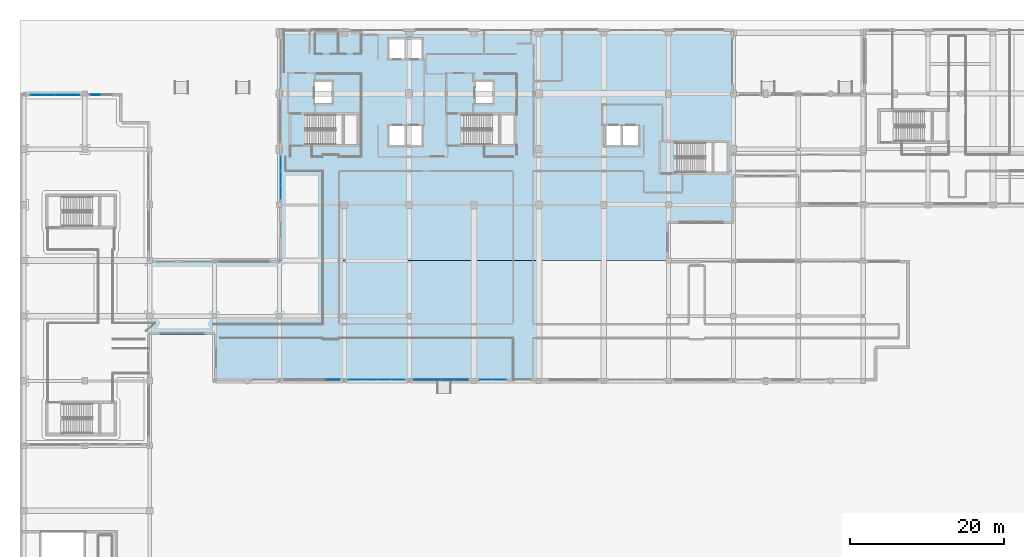
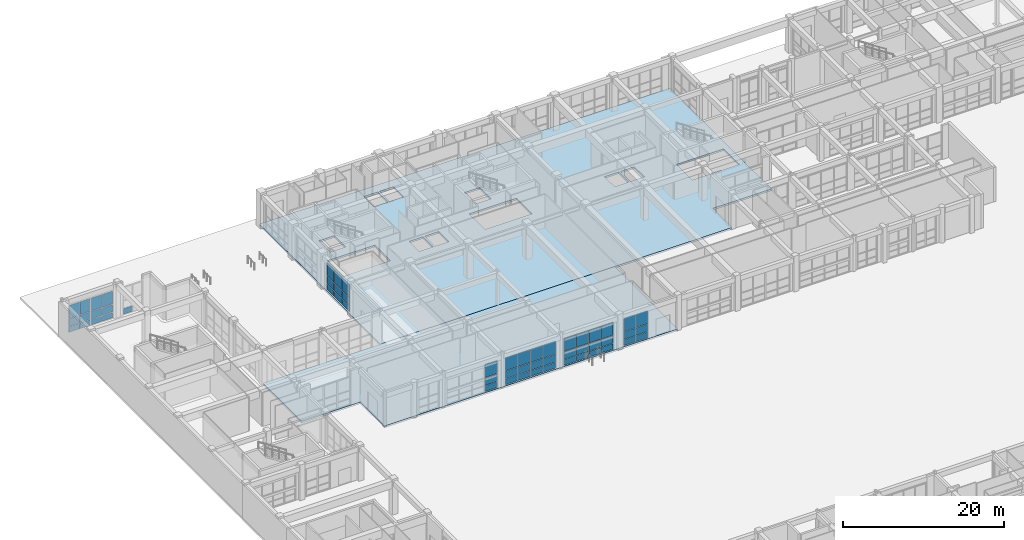
# One storey, part 114 of 148: 55 plates, 2 slabs, 7 elements without a shape of their own.
"""IFC4 building model written with IfcOpenShell, lengths in metres."""

from ifc_helpers import new_model, si_unit, direction, frame, origin, origin_2d, place, context, subcontext, project, spatial, polyline, rectangle, outline, extrude, material, layer, layer_set, type_object, element, aggregate, save


model = new_model("IFC4")

# Units and contexts
model_context = context("Model", 3, precision=1e-05, world=origin(), true_north=direction((0.0, 1.0)))
body_context = subcontext(model_context, "Body", "Model", "MODEL_VIEW")
ifc_project = project(units=[si_unit("LENGTHUNIT", "METRE"), si_unit("AREAUNIT", "SQUARE_METRE"), si_unit("VOLUMEUNIT", "CUBIC_METRE"), si_unit("PLANEANGLEUNIT", "RADIAN"), si_unit("MASSUNIT", "GRAM", prefix="KILO")], contexts=[model_context])

# Site, building, storey
site_placement = place(None, origin())
site = spatial("IfcSite", under=ifc_project, at=site_placement, CompositionType="ELEMENT")
building_placement = place(site_placement, origin())
building = spatial("IfcBuilding", under=site, at=building_placement, Name="Quendrovan Civic Courthouse", CompositionType="ELEMENT")
storey_placement = place(building_placement, origin())
storey = spatial("IfcBuildingStorey", under=building, at=storey_placement, Name="L01", CompositionType="ELEMENT", Elevation=0.0)

# Curtain wall, plates
ifc_material_1 = material(Name="Bronze anodised aluminium and low-E glass", Category="aluminium")
ifc_layer_1 = layer(ifc_material_1, 0.179931640625, Name="Bronze anodised aluminium and low-E glass")
ifc_layer_set_1 = layer_set([ifc_layer_1], Name="Bronze anodised aluminium and low-E glass")
curtain_wall_type_1 = type_object("IfcCurtainWallType", Name="CW-U64x42", PredefinedType="USERDEFINED", material=ifc_layer_set_1)
curtain_wall_1_placement = place(storey_placement, origin())
curtain_wall_1 = element("IfcCurtainWall", 1, at=curtain_wall_1_placement, inside=storey, type_object=curtain_wall_type_1, Name="L01 Unitised Hurricane Curtain Wall CW-016", ObjectType="UNITISED CURTAIN WALL", PredefinedType="USERDEFINED")
ifc_material_2 = material(Name="Laminated hurricane-impact low-E glass", Category="glass")
ifc_layer_2 = layer(ifc_material_2, 0.028076171875, Name="Laminated hurricane-impact low-E glass")
ifc_layer_set_2 = layer_set([ifc_layer_2], Name="Laminated hurricane-impact low-E glass")
plate_type_1 = type_object("IfcPlateType", Name="CW-PNL-1", PredefinedType="CURTAIN_PANEL", material=ifc_layer_set_2)
plate_1_placement = place(storey_placement, frame((2.12060546875, 101.8349609375, 0.06982421875), z_axis=(0.0, 0.0, 1.0), x_axis=(1.0, 0.0, 0.0)))
plate_1 = element("IfcPlate", 2, at=plate_1_placement, type_object=plate_type_1, Name="CW-016 panel 1.1", PredefinedType="CURTAIN_PANEL", context=body_context, shape_type="SweptSolid", body=[
    extrude(rectangle(XDim=1.501220703125, YDim=0.028076171875, at=origin_2d()), origin(), (0.0, 0.0, 1.0), 0.844970703125),
])
plate_2_placement = place(storey_placement, frame((2.12060546875, 101.8349609375, 0.985107421875), z_axis=(0.0, 0.0, 1.0), x_axis=(1.0, 0.0, 0.0)))
plate_2 = element("IfcPlate", 3, at=plate_2_placement, type_object=plate_type_1, Name="CW-016 panel 1.2", PredefinedType="CURTAIN_PANEL", context=body_context, shape_type="SweptSolid", body=[
    extrude(rectangle(XDim=1.501220703125, YDim=0.028076171875, at=origin_2d()), origin(), (0.0, 0.0, 1.0), 1.1298828125),
])
plate_3_placement = place(storey_placement, frame((2.12060546875, 101.8349609375, 2.18505859375), z_axis=(0.0, 0.0, 1.0), x_axis=(1.0, 0.0, 0.0)))
plate_3 = element("IfcPlate", 4, at=plate_3_placement, type_object=plate_type_1, Name="CW-016 panel 1.3", PredefinedType="CURTAIN_PANEL", context=body_context, shape_type="SweptSolid", body=[
    extrude(rectangle(XDim=1.501220703125, YDim=0.028076171875, at=origin_2d()), origin(), (0.0, 0.0, 1.0), 1.945068359375),
])
plate_4_placement = place(storey_placement, frame((3.70947265625, 101.8349609375, 0.06982421875), z_axis=(0.0, 0.0, 1.0), x_axis=(1.0, 0.0, 0.0)))
plate_4 = element("IfcPlate", 5, at=plate_4_placement, type_object=plate_type_1, Name="CW-016 panel 2.1", PredefinedType="CURTAIN_PANEL", context=body_context, shape_type="SweptSolid", body=[
    extrude(rectangle(XDim=1.5361328125, YDim=0.028076171875, at=origin_2d()), origin(), (0.0, 0.0, 1.0), 0.844970703125),
])
plate_5_placement = place(storey_placement, frame((3.70947265625, 101.8349609375, 0.985107421875), z_axis=(0.0, 0.0, 1.0), x_axis=(1.0, 0.0, 0.0)))
plate_5 = element("IfcPlate", 6, at=plate_5_placement, type_object=plate_type_1, Name="CW-016 panel 2.2", PredefinedType="CURTAIN_PANEL", context=body_context, shape_type="SweptSolid", body=[
    extrude(rectangle(XDim=1.5361328125, YDim=0.028076171875, at=origin_2d()), origin(), (0.0, 0.0, 1.0), 1.1298828125),
])
plate_6_placement = place(storey_placement, frame((3.70947265625, 101.8349609375, 2.18505859375), z_axis=(0.0, 0.0, 1.0), x_axis=(1.0, 0.0, 0.0)))
plate_6 = element("IfcPlate", 7, at=plate_6_placement, type_object=plate_type_1, Name="CW-016 panel 2.3", PredefinedType="CURTAIN_PANEL", context=body_context, shape_type="SweptSolid", body=[
    extrude(rectangle(XDim=1.5361328125, YDim=0.028076171875, at=origin_2d()), origin(), (0.0, 0.0, 1.0), 1.945068359375),
])
plate_7_placement = place(storey_placement, frame((5.315673828125, 101.8349609375, 0.06982421875), z_axis=(0.0, 0.0, 1.0), x_axis=(1.0, 0.0, 0.0)))
plate_7 = element("IfcPlate", 8, at=plate_7_placement, type_object=plate_type_1, Name="CW-016 panel 3.1", PredefinedType="CURTAIN_PANEL", context=body_context, shape_type="SweptSolid", body=[
    extrude(rectangle(XDim=1.5361328125, YDim=0.028076171875, at=origin_2d()), origin(), (0.0, 0.0, 1.0), 0.844970703125),
])
plate_8_placement = place(storey_placement, frame((5.315673828125, 101.8349609375, 0.985107421875), z_axis=(0.0, 0.0, 1.0), x_axis=(1.0, 0.0, 0.0)))
plate_8 = element("IfcPlate", 9, at=plate_8_placement, type_object=plate_type_1, Name="CW-016 panel 3.2", PredefinedType="CURTAIN_PANEL", context=body_context, shape_type="SweptSolid", body=[
    extrude(rectangle(XDim=1.5361328125, YDim=0.028076171875, at=origin_2d()), origin(), (0.0, 0.0, 1.0), 1.1298828125),
])
plate_9_placement = place(storey_placement, frame((5.315673828125, 101.8349609375, 2.18505859375), z_axis=(0.0, 0.0, 1.0), x_axis=(1.0, 0.0, 0.0)))
plate_9 = element("IfcPlate", 10, at=plate_9_placement, type_object=plate_type_1, Name="CW-016 panel 3.3", PredefinedType="CURTAIN_PANEL", context=body_context, shape_type="SweptSolid", body=[
    extrude(rectangle(XDim=1.5361328125, YDim=0.028076171875, at=origin_2d()), origin(), (0.0, 0.0, 1.0), 1.945068359375),
])
plate_10_placement = place(storey_placement, frame((6.904296875, 101.8349609375, 0.06982421875), z_axis=(0.0, 0.0, 1.0), x_axis=(1.0, 0.0, 0.0)))
plate_10 = element("IfcPlate", 11, at=plate_10_placement, type_object=plate_type_1, Name="CW-016 panel 4.1", PredefinedType="CURTAIN_PANEL", context=body_context, shape_type="SweptSolid", body=[
    extrude(rectangle(XDim=1.501220703125, YDim=0.028076171875, at=origin_2d()), origin(), (0.0, 0.0, 1.0), 0.844970703125),
])
plate_11_placement = place(storey_placement, frame((6.904296875, 101.8349609375, 0.985107421875), z_axis=(0.0, 0.0, 1.0), x_axis=(1.0, 0.0, 0.0)))
plate_11 = element("IfcPlate", 12, at=plate_11_placement, type_object=plate_type_1, Name="CW-016 panel 4.2", PredefinedType="CURTAIN_PANEL", context=body_context, shape_type="SweptSolid", body=[
    extrude(rectangle(XDim=1.501220703125, YDim=0.028076171875, at=origin_2d()), origin(), (0.0, 0.0, 1.0), 1.1298828125),
])
plate_12_placement = place(storey_placement, frame((6.904296875, 101.8349609375, 2.18505859375), z_axis=(0.0, 0.0, 1.0), x_axis=(1.0, 0.0, 0.0)))
plate_12 = element("IfcPlate", 13, at=plate_12_placement, type_object=plate_type_1, Name="CW-016 panel 4.3", PredefinedType="CURTAIN_PANEL", context=body_context, shape_type="SweptSolid", body=[
    extrude(rectangle(XDim=1.501220703125, YDim=0.028076171875, at=origin_2d()), origin(), (0.0, 0.0, 1.0), 1.945068359375),
])
aggregate(curtain_wall_1, [plate_1, plate_2, plate_3, plate_4, plate_5, plate_6, plate_7, plate_8, plate_9, plate_10, plate_11, plate_12])

ifc_layer_3 = layer(ifc_material_1, 0.179931640625, Name="Bronze anodised aluminium and low-E glass")
ifc_layer_set_3 = layer_set([ifc_layer_3], Name="Bronze anodised aluminium and low-E glass")
curtain_wall_type_2 = type_object("IfcCurtainWallType", Name="CW-U73x42", PredefinedType="USERDEFINED", material=ifc_layer_set_3)
curtain_wall_2_placement = place(storey_placement, origin())
curtain_wall_2 = element("IfcCurtainWall", 14, at=curtain_wall_2_placement, inside=storey, type_object=curtain_wall_type_2, Name="L01 Unitised Hurricane Curtain Wall CW-064", ObjectType="UNITISED CURTAIN WALL", PredefinedType="USERDEFINED")
plate_13_placement = place(storey_placement, frame((48.9296875, 64.965087890625, 0.06982421875), z_axis=(0.0, 0.0, 1.0), x_axis=(-1.0, 0.0, 0.0)))
plate_13 = element("IfcPlate", 15, at=plate_13_placement, type_object=plate_type_1, Name="CW-064 panel 1.1", PredefinedType="CURTAIN_PANEL", context=body_context, shape_type="SweptSolid", body=[
    extrude(rectangle(XDim=1.7265625, YDim=0.028076171875, at=origin_2d()), origin(), (0.0, 0.0, 1.0), 0.844970703125),
])
plate_14_placement = place(storey_placement, frame((48.9296875, 64.965087890625, 0.985107421875), z_axis=(0.0, 0.0, 1.0), x_axis=(-1.0, 0.0, 0.0)))
plate_14 = element("IfcPlate", 16, at=plate_14_placement, type_object=plate_type_1, Name="CW-064 panel 1.2", PredefinedType="CURTAIN_PANEL", context=body_context, shape_type="SweptSolid", body=[
    extrude(rectangle(XDim=1.7265625, YDim=0.028076171875, at=origin_2d()), origin(), (0.0, 0.0, 1.0), 1.1298828125),
])
plate_15_placement = place(storey_placement, frame((48.9296875, 64.965087890625, 2.18505859375), z_axis=(0.0, 0.0, 1.0), x_axis=(-1.0, 0.0, 0.0)))
plate_15 = element("IfcPlate", 17, at=plate_15_placement, type_object=plate_type_1, Name="CW-064 panel 1.3", PredefinedType="CURTAIN_PANEL", context=body_context, shape_type="SweptSolid", body=[
    extrude(rectangle(XDim=1.7265625, YDim=0.028076171875, at=origin_2d()), origin(), (0.0, 0.0, 1.0), 1.945068359375),
])
plate_16_placement = place(storey_placement, frame((47.11572265625, 64.965087890625, 0.06982421875), z_axis=(0.0, 0.0, 1.0), x_axis=(-1.0, 0.0, 0.0)))
plate_16 = element("IfcPlate", 18, at=plate_16_placement, type_object=plate_type_1, Name="CW-064 panel 2.1", PredefinedType="CURTAIN_PANEL", context=body_context, shape_type="SweptSolid", body=[
    extrude(rectangle(XDim=1.761474609375, YDim=0.028076171875, at=origin_2d()), origin(), (0.0, 0.0, 1.0), 0.844970703125),
])
plate_17_placement = place(storey_placement, frame((47.11572265625, 64.965087890625, 0.985107421875), z_axis=(0.0, 0.0, 1.0), x_axis=(-1.0, 0.0, 0.0)))
plate_17 = element("IfcPlate", 19, at=plate_17_placement, type_object=plate_type_1, Name="CW-064 panel 2.2", PredefinedType="CURTAIN_PANEL", context=body_context, shape_type="SweptSolid", body=[
    extrude(rectangle(XDim=1.761474609375, YDim=0.028076171875, at=origin_2d()), origin(), (0.0, 0.0, 1.0), 1.1298828125),
])
plate_18_placement = place(storey_placement, frame((47.11572265625, 64.965087890625, 2.18505859375), z_axis=(0.0, 0.0, 1.0), x_axis=(-1.0, 0.0, 0.0)))
plate_18 = element("IfcPlate", 20, at=plate_18_placement, type_object=plate_type_1, Name="CW-064 panel 2.3", PredefinedType="CURTAIN_PANEL", context=body_context, shape_type="SweptSolid", body=[
    extrude(rectangle(XDim=1.761474609375, YDim=0.028076171875, at=origin_2d()), origin(), (0.0, 0.0, 1.0), 1.945068359375),
])
plate_19_placement = place(storey_placement, frame((45.2841796875, 64.965087890625, 0.06982421875), z_axis=(0.0, 0.0, 1.0), x_axis=(-1.0, 0.0, 0.0)))
plate_19 = element("IfcPlate", 21, at=plate_19_placement, type_object=plate_type_1, Name="CW-064 panel 3.1", PredefinedType="CURTAIN_PANEL", context=body_context, shape_type="SweptSolid", body=[
    extrude(rectangle(XDim=1.761474609375, YDim=0.028076171875, at=origin_2d()), origin(), (0.0, 0.0, 1.0), 0.844970703125),
])
plate_20_placement = place(storey_placement, frame((45.2841796875, 64.965087890625, 0.985107421875), z_axis=(0.0, 0.0, 1.0), x_axis=(-1.0, 0.0, 0.0)))
plate_20 = element("IfcPlate", 22, at=plate_20_placement, type_object=plate_type_1, Name="CW-064 panel 3.2", PredefinedType="CURTAIN_PANEL", context=body_context, shape_type="SweptSolid", body=[
    extrude(rectangle(XDim=1.761474609375, YDim=0.028076171875, at=origin_2d()), origin(), (0.0, 0.0, 1.0), 1.1298828125),
])
plate_21_placement = place(storey_placement, frame((45.2841796875, 64.965087890625, 2.18505859375), z_axis=(0.0, 0.0, 1.0), x_axis=(-1.0, 0.0, 0.0)))
plate_21 = element("IfcPlate", 23, at=plate_21_placement, type_object=plate_type_1, Name="CW-064 panel 3.3", PredefinedType="CURTAIN_PANEL", context=body_context, shape_type="SweptSolid", body=[
    extrude(rectangle(XDim=1.761474609375, YDim=0.028076171875, at=origin_2d()), origin(), (0.0, 0.0, 1.0), 1.945068359375),
])
plate_22_placement = place(storey_placement, frame((43.47021484375, 64.965087890625, 0.06982421875), z_axis=(0.0, 0.0, 1.0), x_axis=(-1.0, 0.0, 0.0)))
plate_22 = element("IfcPlate", 24, at=plate_22_placement, type_object=plate_type_1, Name="CW-064 panel 4.1", PredefinedType="CURTAIN_PANEL", context=body_context, shape_type="SweptSolid", body=[
    extrude(rectangle(XDim=1.7265625, YDim=0.028076171875, at=origin_2d()), origin(), (0.0, 0.0, 1.0), 0.844970703125),
])
plate_23_placement = place(storey_placement, frame((43.47021484375, 64.965087890625, 0.985107421875), z_axis=(0.0, 0.0, 1.0), x_axis=(-1.0, 0.0, 0.0)))
plate_23 = element("IfcPlate", 25, at=plate_23_placement, type_object=plate_type_1, Name="CW-064 panel 4.2", PredefinedType="CURTAIN_PANEL", context=body_context, shape_type="SweptSolid", body=[
    extrude(rectangle(XDim=1.7265625, YDim=0.028076171875, at=origin_2d()), origin(), (0.0, 0.0, 1.0), 1.1298828125),
])
plate_24_placement = place(storey_placement, frame((43.47021484375, 64.965087890625, 2.18505859375), z_axis=(0.0, 0.0, 1.0), x_axis=(-1.0, 0.0, 0.0)))
plate_24 = element("IfcPlate", 26, at=plate_24_placement, type_object=plate_type_1, Name="CW-064 panel 4.3", PredefinedType="CURTAIN_PANEL", context=body_context, shape_type="SweptSolid", body=[
    extrude(rectangle(XDim=1.7265625, YDim=0.028076171875, at=origin_2d()), origin(), (0.0, 0.0, 1.0), 1.945068359375),
])
aggregate(curtain_wall_2, [plate_13, plate_14, plate_15, plate_16, plate_17, plate_18, plate_19, plate_20, plate_21, plate_22, plate_23, plate_24])

# Curtain wall, plate
ifc_layer_4 = layer(ifc_material_1, 0.179931640625, Name="Bronze anodised aluminium and low-E glass")
ifc_layer_set_4 = layer_set([ifc_layer_4], Name="Bronze anodised aluminium and low-E glass")
curtain_wall_type_3 = type_object("IfcCurtainWallType", Name="CW-U28x42", PredefinedType="USERDEFINED", material=ifc_layer_set_4)
curtain_wall_3_placement = place(storey_placement, origin())
curtain_wall_3 = element("IfcCurtainWall", 27, at=curtain_wall_3_placement, inside=storey, type_object=curtain_wall_type_3, Name="L01 Unitised Hurricane Curtain Wall CW-017", ObjectType="UNITISED CURTAIN WALL", PredefinedType="USERDEFINED")
ifc_layer_5 = layer(ifc_material_2, 0.031982421875, Name="Laminated hurricane-impact low-E glass")
ifc_layer_set_5 = layer_set([ifc_layer_5], Name="Laminated hurricane-impact low-E glass")
plate_type_2 = type_object("IfcPlateType", Name="CW-PNL-2", PredefinedType="CURTAIN_PANEL", material=ifc_layer_set_5)
plate_25_placement = place(storey_placement, frame((9.797607421875, 101.8349609375, 0.06494140625), z_axis=(0.0, 0.0, 1.0), x_axis=(1.0, 0.0, 0.0)))
plate_25 = element("IfcPlate", 28, at=plate_25_placement, type_object=plate_type_2, Name="CW-017 panel 1.1", PredefinedType="CURTAIN_PANEL", context=body_context, shape_type="SweptSolid", body=[
    extrude(rectangle(XDim=1.31494140625, YDim=0.031982421875, at=origin_2d()), origin(), (0.0, 0.0, 1.0), 0.8525390625),
])
aggregate(curtain_wall_3, [plate_25])

# Curtain wall, plates
curtain_wall_4_placement = place(storey_placement, origin())
curtain_wall_4 = element("IfcCurtainWall", 29, at=curtain_wall_4_placement, inside=storey, type_object=curtain_wall_type_2, Name="L01 Unitised Hurricane Curtain Wall CW-065", ObjectType="UNITISED CURTAIN WALL", PredefinedType="USERDEFINED")
plate_26_placement = place(storey_placement, frame((40.531005859375, 64.965087890625, 0.06494140625), z_axis=(0.0, 0.0, 1.0), x_axis=(-1.0, 0.0, 0.0)))
plate_26 = element("IfcPlate", 30, at=plate_26_placement, type_object=plate_type_2, Name="CW-065 panel 1.1", PredefinedType="CURTAIN_PANEL", context=body_context, shape_type="SweptSolid", body=[
    extrude(rectangle(XDim=1.73388671875, YDim=0.031982421875, at=origin_2d()), origin(), (0.0, 0.0, 1.0), 0.8525390625),
])
plate_27_placement = place(storey_placement, frame((40.531005859375, 64.965087890625, 0.982421875), z_axis=(0.0, 0.0, 1.0), x_axis=(-1.0, 0.0, 0.0)))
plate_27 = element("IfcPlate", 31, at=plate_27_placement, type_object=plate_type_2, Name="CW-065 panel 1.2", PredefinedType="CURTAIN_PANEL", context=body_context, shape_type="SweptSolid", body=[
    extrude(rectangle(XDim=1.73388671875, YDim=0.031982421875, at=origin_2d()), origin(), (0.0, 0.0, 1.0), 1.135009765625),
])
plate_28_placement = place(storey_placement, frame((40.531005859375, 64.965087890625, 2.1826171875), z_axis=(0.0, 0.0, 1.0), x_axis=(-1.0, 0.0, 0.0)))
plate_28 = element("IfcPlate", 32, at=plate_28_placement, type_object=plate_type_2, Name="CW-065 panel 1.3", PredefinedType="CURTAIN_PANEL", context=body_context, shape_type="SweptSolid", body=[
    extrude(rectangle(XDim=1.73388671875, YDim=0.031982421875, at=origin_2d()), origin(), (0.0, 0.0, 1.0), 1.952392578125),
])
aggregate(curtain_wall_4, [plate_26, plate_27, plate_28])

ifc_layer_6 = layer(ifc_material_1, 0.179931640625, Name="Bronze anodised aluminium and low-E glass")
ifc_layer_set_6 = layer_set([ifc_layer_6], Name="Bronze anodised aluminium and low-E glass")
curtain_wall_type_4 = type_object("IfcCurtainWallType", Name="CW-U56x42", PredefinedType="USERDEFINED", material=ifc_layer_set_6)
curtain_wall_5_placement = place(storey_placement, origin())
curtain_wall_5 = element("IfcCurtainWall", 33, at=curtain_wall_5_placement, inside=storey, type_object=curtain_wall_type_4, Name="L01 Unitised Hurricane Curtain Wall CW-022", ObjectType="UNITISED CURTAIN WALL", PredefinedType="USERDEFINED")
ifc_layer_7 = layer(ifc_material_2, 0.035888671875, Name="Laminated hurricane-impact low-E glass")
ifc_layer_set_7 = layer_set([ifc_layer_7], Name="Laminated hurricane-impact low-E glass")
plate_type_3 = type_object("IfcPlateType", Name="CW-PNL-3", PredefinedType="CURTAIN_PANEL", material=ifc_layer_set_7)
plate_29_placement = place(storey_placement, frame((33.764892578125, 89.2548828125, 0.06982421875), z_axis=(0.0, 0.0, 1.0), x_axis=(0.0, 1.0, 0.0)))
plate_29 = element("IfcPlate", 34, at=plate_29_placement, type_object=plate_type_3, Name="CW-022 panel 1.1", PredefinedType="CURTAIN_PANEL", context=body_context, shape_type="SweptSolid", body=[
    extrude(rectangle(XDim=1.77001953125, YDim=0.035888671875, at=origin_2d()), origin(), (0.0, 0.0, 1.0), 0.844970703125),
])
plate_30_placement = place(storey_placement, frame((33.764892578125, 89.2548828125, 0.985107421875), z_axis=(0.0, 0.0, 1.0), x_axis=(0.0, 1.0, 0.0)))
plate_30 = element("IfcPlate", 35, at=plate_30_placement, type_object=plate_type_3, Name="CW-022 panel 1.2", PredefinedType="CURTAIN_PANEL", context=body_context, shape_type="SweptSolid", body=[
    extrude(rectangle(XDim=1.77001953125, YDim=0.035888671875, at=origin_2d()), origin(), (0.0, 0.0, 1.0), 1.1298828125),
])
plate_31_placement = place(storey_placement, frame((33.764892578125, 89.2548828125, 2.18505859375), z_axis=(0.0, 0.0, 1.0), x_axis=(0.0, 1.0, 0.0)))
plate_31 = element("IfcPlate", 36, at=plate_31_placement, type_object=plate_type_3, Name="CW-022 panel 1.3", PredefinedType="CURTAIN_PANEL", context=body_context, shape_type="SweptSolid", body=[
    extrude(rectangle(XDim=1.77001953125, YDim=0.035888671875, at=origin_2d()), origin(), (0.0, 0.0, 1.0), 1.945068359375),
])
plate_32_placement = place(storey_placement, frame((33.764892578125, 91.112548828125, 0.06982421875), z_axis=(0.0, 0.0, 1.0), x_axis=(0.0, 1.0, 0.0)))
plate_32 = element("IfcPlate", 37, at=plate_32_placement, type_object=plate_type_3, Name="CW-022 panel 2.1", PredefinedType="CURTAIN_PANEL", context=body_context, shape_type="SweptSolid", body=[
    extrude(rectangle(XDim=1.804931640625, YDim=0.035888671875, at=origin_2d()), origin(), (0.0, 0.0, 1.0), 0.844970703125),
])
plate_33_placement = place(storey_placement, frame((33.764892578125, 91.112548828125, 0.985107421875), z_axis=(0.0, 0.0, 1.0), x_axis=(0.0, 1.0, 0.0)))
plate_33 = element("IfcPlate", 38, at=plate_33_placement, type_object=plate_type_3, Name="CW-022 panel 2.2", PredefinedType="CURTAIN_PANEL", context=body_context, shape_type="SweptSolid", body=[
    extrude(rectangle(XDim=1.804931640625, YDim=0.035888671875, at=origin_2d()), origin(), (0.0, 0.0, 1.0), 1.1298828125),
])
plate_34_placement = place(storey_placement, frame((33.764892578125, 91.112548828125, 2.18505859375), z_axis=(0.0, 0.0, 1.0), x_axis=(0.0, 1.0, 0.0)))
plate_34 = element("IfcPlate", 39, at=plate_34_placement, type_object=plate_type_3, Name="CW-022 panel 2.3", PredefinedType="CURTAIN_PANEL", context=body_context, shape_type="SweptSolid", body=[
    extrude(rectangle(XDim=1.804931640625, YDim=0.035888671875, at=origin_2d()), origin(), (0.0, 0.0, 1.0), 1.945068359375),
])
plate_35_placement = place(storey_placement, frame((33.764892578125, 92.969970703125, 0.06982421875), z_axis=(0.0, 0.0, 1.0), x_axis=(0.0, 1.0, 0.0)))
plate_35 = element("IfcPlate", 40, at=plate_35_placement, type_object=plate_type_3, Name="CW-022 panel 3.1", PredefinedType="CURTAIN_PANEL", context=body_context, shape_type="SweptSolid", body=[
    extrude(rectangle(XDim=1.77001953125, YDim=0.035888671875, at=origin_2d()), origin(), (0.0, 0.0, 1.0), 0.844970703125),
])
plate_36_placement = place(storey_placement, frame((33.764892578125, 92.969970703125, 0.985107421875), z_axis=(0.0, 0.0, 1.0), x_axis=(0.0, 1.0, 0.0)))
plate_36 = element("IfcPlate", 41, at=plate_36_placement, type_object=plate_type_3, Name="CW-022 panel 3.2", PredefinedType="CURTAIN_PANEL", context=body_context, shape_type="SweptSolid", body=[
    extrude(rectangle(XDim=1.77001953125, YDim=0.035888671875, at=origin_2d()), origin(), (0.0, 0.0, 1.0), 1.1298828125),
])
plate_37_placement = place(storey_placement, frame((33.764892578125, 92.969970703125, 2.18505859375), z_axis=(0.0, 0.0, 1.0), x_axis=(0.0, 1.0, 0.0)))
plate_37 = element("IfcPlate", 42, at=plate_37_placement, type_object=plate_type_3, Name="CW-022 panel 3.3", PredefinedType="CURTAIN_PANEL", context=body_context, shape_type="SweptSolid", body=[
    extrude(rectangle(XDim=1.77001953125, YDim=0.035888671875, at=origin_2d()), origin(), (0.0, 0.0, 1.0), 1.945068359375),
])
aggregate(curtain_wall_5, [plate_29, plate_30, plate_31, plate_32, plate_33, plate_34, plate_35, plate_36, plate_37])

ifc_layer_8 = layer(ifc_material_1, 0.179931640625, Name="Bronze anodised aluminium and low-E glass")
ifc_layer_set_8 = layer_set([ifc_layer_8], Name="Bronze anodised aluminium and low-E glass")
curtain_wall_type_5 = type_object("IfcCurtainWallType", Name="CW-U35x42", PredefinedType="USERDEFINED", material=ifc_layer_set_8)
curtain_wall_6_placement = place(storey_placement, origin())
curtain_wall_6 = element("IfcCurtainWall", 43, at=curtain_wall_6_placement, inside=storey, type_object=curtain_wall_type_5, Name="L01 Unitised Hurricane Curtain Wall CW-062", ObjectType="UNITISED CURTAIN WALL", PredefinedType="USERDEFINED")
plate_38_placement = place(storey_placement, frame((62.107421875, 64.965087890625, 0.06982421875), z_axis=(0.0, 0.0, 1.0), x_axis=(-1.0, 0.0, 0.0)))
plate_38 = element("IfcPlate", 44, at=plate_38_placement, type_object=plate_type_3, Name="CW-062 panel 1.1", PredefinedType="CURTAIN_PANEL", context=body_context, shape_type="SweptSolid", body=[
    extrude(rectangle(XDim=1.64501953125, YDim=0.035888671875, at=origin_2d()), origin(), (0.0, 0.0, 1.0), 0.844970703125),
])
plate_39_placement = place(storey_placement, frame((62.107421875, 64.965087890625, 0.985107421875), z_axis=(0.0, 0.0, 1.0), x_axis=(-1.0, 0.0, 0.0)))
plate_39 = element("IfcPlate", 45, at=plate_39_placement, type_object=plate_type_3, Name="CW-062 panel 1.2", PredefinedType="CURTAIN_PANEL", context=body_context, shape_type="SweptSolid", body=[
    extrude(rectangle(XDim=1.64501953125, YDim=0.035888671875, at=origin_2d()), origin(), (0.0, 0.0, 1.0), 1.1298828125),
])
plate_40_placement = place(storey_placement, frame((62.107421875, 64.965087890625, 2.18505859375), z_axis=(0.0, 0.0, 1.0), x_axis=(-1.0, 0.0, 0.0)))
plate_40 = element("IfcPlate", 46, at=plate_40_placement, type_object=plate_type_3, Name="CW-062 panel 1.3", PredefinedType="CURTAIN_PANEL", context=body_context, shape_type="SweptSolid", body=[
    extrude(rectangle(XDim=1.64501953125, YDim=0.035888671875, at=origin_2d()), origin(), (0.0, 0.0, 1.0), 1.945068359375),
])
plate_41_placement = place(storey_placement, frame((60.392578125, 64.965087890625, 0.06982421875), z_axis=(0.0, 0.0, 1.0), x_axis=(-1.0, 0.0, 0.0)))
plate_41 = element("IfcPlate", 47, at=plate_41_placement, type_object=plate_type_3, Name="CW-062 panel 2.1", PredefinedType="CURTAIN_PANEL", context=body_context, shape_type="SweptSolid", body=[
    extrude(rectangle(XDim=1.64501953125, YDim=0.035888671875, at=origin_2d()), origin(), (0.0, 0.0, 1.0), 0.844970703125),
])
plate_42_placement = place(storey_placement, frame((60.392578125, 64.965087890625, 0.985107421875), z_axis=(0.0, 0.0, 1.0), x_axis=(-1.0, 0.0, 0.0)))
plate_42 = element("IfcPlate", 48, at=plate_42_placement, type_object=plate_type_3, Name="CW-062 panel 2.2", PredefinedType="CURTAIN_PANEL", context=body_context, shape_type="SweptSolid", body=[
    extrude(rectangle(XDim=1.64501953125, YDim=0.035888671875, at=origin_2d()), origin(), (0.0, 0.0, 1.0), 1.1298828125),
])
plate_43_placement = place(storey_placement, frame((60.392578125, 64.965087890625, 2.18505859375), z_axis=(0.0, 0.0, 1.0), x_axis=(-1.0, 0.0, 0.0)))
plate_43 = element("IfcPlate", 49, at=plate_43_placement, type_object=plate_type_3, Name="CW-062 panel 2.3", PredefinedType="CURTAIN_PANEL", context=body_context, shape_type="SweptSolid", body=[
    extrude(rectangle(XDim=1.64501953125, YDim=0.035888671875, at=origin_2d()), origin(), (0.0, 0.0, 1.0), 1.945068359375),
])
aggregate(curtain_wall_6, [plate_38, plate_39, plate_40, plate_41, plate_42, plate_43])

ifc_layer_9 = layer(ifc_material_1, 0.179931640625, Name="Bronze anodised aluminium and low-E glass")
ifc_layer_set_9 = layer_set([ifc_layer_9], Name="Bronze anodised aluminium and low-E glass")
curtain_wall_type_6 = type_object("IfcCurtainWallType", Name="CW-U72x42", PredefinedType="USERDEFINED", material=ifc_layer_set_9)
curtain_wall_7_placement = place(storey_placement, origin())
curtain_wall_7 = element("IfcCurtainWall", 50, at=curtain_wall_7_placement, inside=storey, type_object=curtain_wall_type_6, Name="L01 Unitised Hurricane Curtain Wall CW-063", ObjectType="UNITISED CURTAIN WALL", PredefinedType="USERDEFINED")
ifc_layer_10 = layer(ifc_material_2, 0.0419921875, Name="Laminated hurricane-impact low-E glass")
ifc_layer_set_10 = layer_set([ifc_layer_10], Name="Laminated hurricane-impact low-E glass")
plate_type_4 = type_object("IfcPlateType", Name="CW-PNL-4", PredefinedType="CURTAIN_PANEL", material=ifc_layer_set_10)
plate_44_placement = place(storey_placement, frame((57.1884765625, 64.965087890625, 0.06494140625), z_axis=(0.0, 0.0, 1.0), x_axis=(-1.0, 0.0, 0.0)))
plate_44 = element("IfcPlate", 51, at=plate_44_placement, type_object=plate_type_4, Name="CW-063 panel 1.1", PredefinedType="CURTAIN_PANEL", context=body_context, shape_type="SweptSolid", body=[
    extrude(rectangle(XDim=1.693359375, YDim=0.0419921875, at=origin_2d()), origin(), (0.0, 0.0, 1.0), 0.8525390625),
])
plate_45_placement = place(storey_placement, frame((57.1884765625, 64.965087890625, 0.982421875), z_axis=(0.0, 0.0, 1.0), x_axis=(-1.0, 0.0, 0.0)))
plate_45 = element("IfcPlate", 52, at=plate_45_placement, type_object=plate_type_4, Name="CW-063 panel 1.2", PredefinedType="CURTAIN_PANEL", context=body_context, shape_type="SweptSolid", body=[
    extrude(rectangle(XDim=1.693359375, YDim=0.0419921875, at=origin_2d()), origin(), (0.0, 0.0, 1.0), 1.135009765625),
])
plate_46_placement = place(storey_placement, frame((57.1884765625, 64.965087890625, 2.1826171875), z_axis=(0.0, 0.0, 1.0), x_axis=(-1.0, 0.0, 0.0)))
plate_46 = element("IfcPlate", 53, at=plate_46_placement, type_object=plate_type_4, Name="CW-063 panel 1.3", PredefinedType="CURTAIN_PANEL", context=body_context, shape_type="SweptSolid", body=[
    extrude(rectangle(XDim=1.693359375, YDim=0.0419921875, at=origin_2d()), origin(), (0.0, 0.0, 1.0), 1.952392578125),
])
plate_47_placement = place(storey_placement, frame((55.413818359375, 64.965087890625, 0.06494140625), z_axis=(0.0, 0.0, 1.0), x_axis=(-1.0, 0.0, 0.0)))
plate_47 = element("IfcPlate", 54, at=plate_47_placement, type_object=plate_type_4, Name="CW-063 panel 2.1", PredefinedType="CURTAIN_PANEL", context=body_context, shape_type="SweptSolid", body=[
    extrude(rectangle(XDim=1.725830078125, YDim=0.0419921875, at=origin_2d()), origin(), (0.0, 0.0, 1.0), 0.8525390625),
])
plate_48_placement = place(storey_placement, frame((55.413818359375, 64.965087890625, 0.982421875), z_axis=(0.0, 0.0, 1.0), x_axis=(-1.0, 0.0, 0.0)))
plate_48 = element("IfcPlate", 55, at=plate_48_placement, type_object=plate_type_4, Name="CW-063 panel 2.2", PredefinedType="CURTAIN_PANEL", context=body_context, shape_type="SweptSolid", body=[
    extrude(rectangle(XDim=1.725830078125, YDim=0.0419921875, at=origin_2d()), origin(), (0.0, 0.0, 1.0), 1.135009765625),
])
plate_49_placement = place(storey_placement, frame((55.413818359375, 64.965087890625, 2.1826171875), z_axis=(0.0, 0.0, 1.0), x_axis=(-1.0, 0.0, 0.0)))
plate_49 = element("IfcPlate", 56, at=plate_49_placement, type_object=plate_type_4, Name="CW-063 panel 2.3", PredefinedType="CURTAIN_PANEL", context=body_context, shape_type="SweptSolid", body=[
    extrude(rectangle(XDim=1.725830078125, YDim=0.0419921875, at=origin_2d()), origin(), (0.0, 0.0, 1.0), 1.952392578125),
])
plate_50_placement = place(storey_placement, frame((53.623046875, 64.965087890625, 0.06494140625), z_axis=(0.0, 0.0, 1.0), x_axis=(-1.0, 0.0, 0.0)))
plate_50 = element("IfcPlate", 57, at=plate_50_placement, type_object=plate_type_4, Name="CW-063 panel 3.1", PredefinedType="CURTAIN_PANEL", context=body_context, shape_type="SweptSolid", body=[
    extrude(rectangle(XDim=1.725830078125, YDim=0.0419921875, at=origin_2d()), origin(), (0.0, 0.0, 1.0), 0.8525390625),
])
plate_51_placement = place(storey_placement, frame((53.623046875, 64.965087890625, 0.982421875), z_axis=(0.0, 0.0, 1.0), x_axis=(-1.0, 0.0, 0.0)))
plate_51 = element("IfcPlate", 58, at=plate_51_placement, type_object=plate_type_4, Name="CW-063 panel 3.2", PredefinedType="CURTAIN_PANEL", context=body_context, shape_type="SweptSolid", body=[
    extrude(rectangle(XDim=1.725830078125, YDim=0.0419921875, at=origin_2d()), origin(), (0.0, 0.0, 1.0), 1.135009765625),
])
plate_52_placement = place(storey_placement, frame((53.623046875, 64.965087890625, 2.1826171875), z_axis=(0.0, 0.0, 1.0), x_axis=(-1.0, 0.0, 0.0)))
plate_52 = element("IfcPlate", 59, at=plate_52_placement, type_object=plate_type_4, Name="CW-063 panel 3.3", PredefinedType="CURTAIN_PANEL", context=body_context, shape_type="SweptSolid", body=[
    extrude(rectangle(XDim=1.725830078125, YDim=0.0419921875, at=origin_2d()), origin(), (0.0, 0.0, 1.0), 1.952392578125),
])
plate_53_placement = place(storey_placement, frame((51.8486328125, 64.965087890625, 0.06494140625), z_axis=(0.0, 0.0, 1.0), x_axis=(-1.0, 0.0, 0.0)))
plate_53 = element("IfcPlate", 60, at=plate_53_placement, type_object=plate_type_4, Name="CW-063 panel 4.1", PredefinedType="CURTAIN_PANEL", context=body_context, shape_type="SweptSolid", body=[
    extrude(rectangle(XDim=1.693359375, YDim=0.0419921875, at=origin_2d()), origin(), (0.0, 0.0, 1.0), 0.8525390625),
])
plate_54_placement = place(storey_placement, frame((51.8486328125, 64.965087890625, 0.982421875), z_axis=(0.0, 0.0, 1.0), x_axis=(-1.0, 0.0, 0.0)))
plate_54 = element("IfcPlate", 61, at=plate_54_placement, type_object=plate_type_4, Name="CW-063 panel 4.2", PredefinedType="CURTAIN_PANEL", context=body_context, shape_type="SweptSolid", body=[
    extrude(rectangle(XDim=1.693359375, YDim=0.0419921875, at=origin_2d()), origin(), (0.0, 0.0, 1.0), 1.135009765625),
])
plate_55_placement = place(storey_placement, frame((51.8486328125, 64.965087890625, 2.1826171875), z_axis=(0.0, 0.0, 1.0), x_axis=(-1.0, 0.0, 0.0)))
plate_55 = element("IfcPlate", 62, at=plate_55_placement, type_object=plate_type_4, Name="CW-063 panel 4.3", PredefinedType="CURTAIN_PANEL", context=body_context, shape_type="SweptSolid", body=[
    extrude(rectangle(XDim=1.693359375, YDim=0.0419921875, at=origin_2d()), origin(), (0.0, 0.0, 1.0), 1.952392578125),
])
aggregate(curtain_wall_7, [plate_44, plate_45, plate_46, plate_47, plate_48, plate_49, plate_50, plate_51, plate_52, plate_53, plate_54, plate_55])

# Slabs
ifc_material_3 = material(Name="Post-tensioned concrete C50/60", Category="concrete")
ifc_layer_11 = layer(ifc_material_3, 0.280029296875, Name="Post-tensioned concrete C50/60")
ifc_layer_set_11 = layer_set([ifc_layer_11], Name="Post-tensioned concrete C50/60")
slab_type = type_object("IfcSlabType", Name="SLB-PT-280", PredefinedType="FLOOR", material=ifc_layer_set_11)
slab_1_placement = place(storey_placement, frame((0.0, 0.0, -0.280029296875)))
element("IfcSlab", 63, at=slab_1_placement, inside=storey, type_object=slab_type, Name="L01 Structural Floor Slab V3W", PredefinedType="FLOOR", context=body_context, shape_type="SweptSolid", body=[
    extrude(outline(polyline([(16.800048828125, 80.39990234375), (67.199951171875, 80.39990234375), (67.199951171875, 64.800048828125), (25.199951171875, 64.800048828125), (25.199951171875, 70.800048828125), (16.800048828125, 70.800048828125), (16.800048828125, 80.39990234375)])), origin(), (0.0, 0.0, 1.0), 0.280029296875),
])
slab_2_placement = place(storey_placement, frame((0.0, 0.0, -0.280029296875)))
element("IfcSlab", 64, at=slab_2_placement, inside=storey, type_object=slab_type, Name="L01 Structural Floor Slab V2N", PredefinedType="FLOOR", context=body_context, shape_type="SweptSolid", body=[
    extrude(outline(polyline([(33.60009765625, 110.39990234375), (92.39990234375, 110.39990234375), (92.39990234375, 85.199951171875), (84.0, 85.199951171875), (84.0, 80.39990234375), (33.60009765625, 80.39990234375), (33.60009765625, 110.39990234375)]), holes=[polyline([(49.800048828125, 97.85009765625), (47.800048828125, 97.85009765625), (47.800048828125, 95.35009765625), (49.800048828125, 95.35009765625), (49.800048828125, 97.85009765625)]), polyline([(52.050048828125, 97.85009765625), (50.050048828125, 97.85009765625), (50.050048828125, 95.35009765625), (52.050048828125, 95.35009765625), (52.050048828125, 97.85009765625)]), polyline([(43.699951171875, 99.280029296875), (36.949951171875, 99.280029296875), (36.949951171875, 95.39990234375), (43.699951171875, 95.39990234375), (43.699951171875, 99.280029296875)]), polyline([(40.39990234375, 100.75), (40.39990234375, 103.550048828125), (38.199951171875, 103.550048828125), (38.199951171875, 100.75), (40.39990234375, 100.75)]), polyline([(49.800048828125, 106.550048828125), (49.800048828125, 109.050048828125), (47.800048828125, 109.050048828125), (47.800048828125, 106.550048828125), (49.800048828125, 106.550048828125)]), polyline([(52.050048828125, 109.050048828125), (50.050048828125, 109.050048828125), (50.050048828125, 106.550048828125), (52.050048828125, 106.550048828125), (52.050048828125, 109.050048828125)]), polyline([(91.60009765625, 91.800048828125), (91.60009765625, 95.679931640625), (84.85009765625, 95.679931640625), (84.85009765625, 91.800048828125), (91.60009765625, 91.800048828125)]), polyline([(77.800048828125, 95.35009765625), (77.800048828125, 97.85009765625), (75.800048828125, 97.85009765625), (75.800048828125, 95.35009765625), (77.800048828125, 95.35009765625)]), polyline([(80.050048828125, 97.85009765625), (78.050048828125, 97.85009765625), (78.050048828125, 95.35009765625), (80.050048828125, 95.35009765625), (80.050048828125, 97.85009765625)]), polyline([(64.0, 95.39990234375), (64.0, 99.280029296875), (57.25, 99.280029296875), (57.25, 95.39990234375), (64.0, 95.39990234375)]), polyline([(61.199951171875, 100.75), (61.199951171875, 103.550048828125), (59.0, 103.550048828125), (59.0, 100.75), (61.199951171875, 100.75)])]), origin(), (0.0, 0.0, 1.0), 0.280029296875),
])

save(model, "model.ifc")
